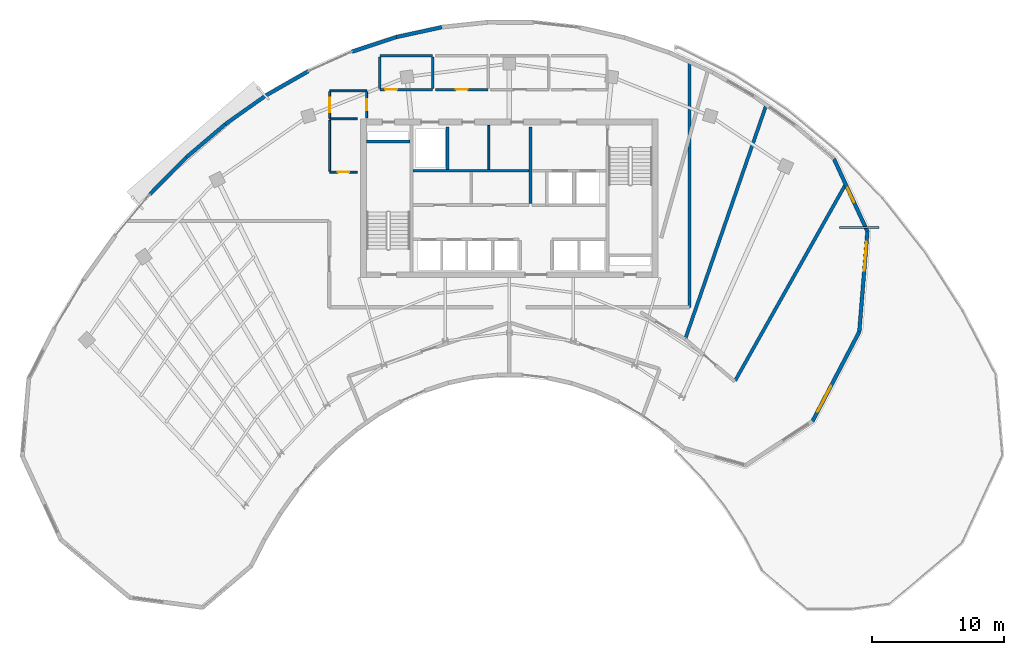
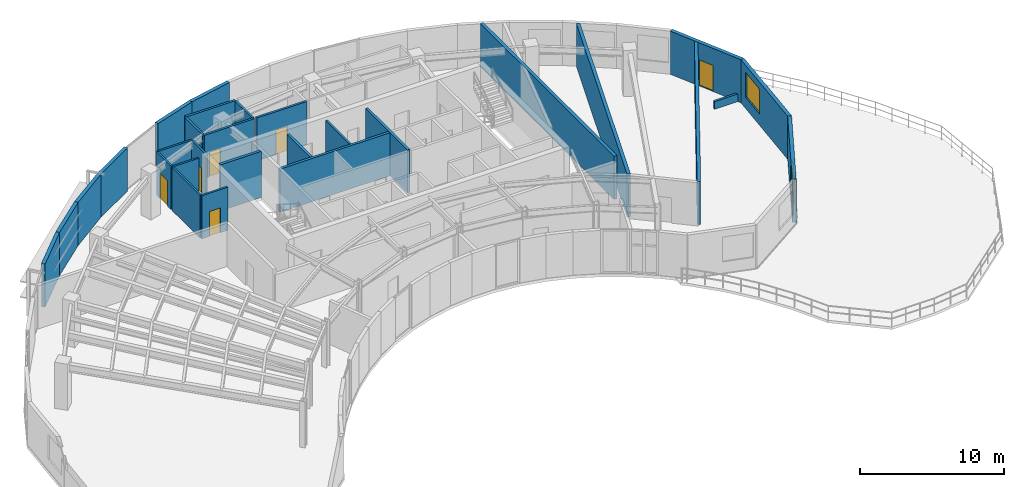
# One storey, part 9 of 15: 29 walls, 6 doors, 2 windows, 8 openings.
"""IFC4 building model written with IfcOpenShell, lengths in metres."""

from ifc_helpers import new_model, si_unit, direction, frame, frame_2d, origin, place, context, subcontext, project, spatial, rectangle, extrude, source, transform, mapped, material, layer, layer_set, type_object, type_shapes, element, fill, save


model = new_model("IFC4")

# Units and contexts
model_context = context("Model", 3, precision=1e-05, world=origin(), true_north=direction((0.0, 1.0)))
body_context = subcontext(model_context, "Body", "Model", "MODEL_VIEW")
ifc_project = project(units=[si_unit("LENGTHUNIT", "METRE"), si_unit("AREAUNIT", "SQUARE_METRE"), si_unit("VOLUMEUNIT", "CUBIC_METRE"), si_unit("PLANEANGLEUNIT", "RADIAN"), si_unit("MASSUNIT", "GRAM", prefix="KILO")], contexts=[model_context])

# Site, building, storey
site_placement = place(None, origin())
site = spatial("IfcSite", under=ifc_project, at=site_placement, CompositionType="ELEMENT")
building_placement = place(site_placement, origin())
building = spatial("IfcBuilding", under=site, at=building_placement, Name="Breltana Convention Tower", CompositionType="ELEMENT")
storey_placement = place(building_placement, frame((0.0, 0.0, 231.300048828125)))
storey = spatial("IfcBuildingStorey", under=building, at=storey_placement, Name="L56", CompositionType="ELEMENT", Elevation=231.300048828125)

# Wall
ifc_material_1 = material(Name="Concrete C50/60", Category="concrete")
ifc_layer_1 = layer(ifc_material_1, 0.39990234375, Name="Concrete C50/60")
ifc_layer_set_1 = layer_set([ifc_layer_1], Name="Concrete C50/60")
wall_type_1 = type_object("IfcWallType", Name="SW-CORE-400", PredefinedType="SHEAR", material=ifc_layer_set_1)
shared_shape_1 = source(origin(), body_context, "Body", "SweptSolid", [
    extrude(rectangle(XDim=3.27001953125, YDim=0.219970703125, at=frame_2d((1.635009765625, 0.0))), origin(), (0.0, 0.0, 1.0), 3.89990234375),
])
wall_1_placement = place(storey_placement, frame((37.199951171875, 70.510009765625, 0.0), z_axis=(0.0, 0.0, 1.0), x_axis=(1.0, 0.0, 0.0)))
element("IfcWall", 1, at=wall_1_placement, inside=storey, type_object=wall_type_1, Name="L56 ST-1 Stairwell North Bearing Wall", PredefinedType="SHEAR", context=body_context, shape_type="MappedRepresentation", body=[
    mapped(shared_shape_1, transform((0.0, 0.0, 0.0), scale=1.0)),
])

# Wall, opening, door
ifc_material_2 = material(Name="Limestone Buff Insulated Wall", Category="masonry")
ifc_layer_2 = layer(ifc_material_2, 0.280029296875, Name="Limestone Buff Insulated Wall")
ifc_layer_set_2 = layer_set([ifc_layer_2], Name="Limestone Buff Insulated Wall")
wall_type_2 = type_object("IfcWallType", Name="WL-EXT-NOSE-280", PredefinedType="SOLIDWALL", material=ifc_layer_set_2)
shared_shape_2 = source(origin(), body_context, "Body", "SweptSolid", [
    extrude(rectangle(XDim=6.049560546875, YDim=0.280029296875, at=frame_2d((3.02490234375, 0.0))), origin(), (0.0, 0.0, 1.0), 3.64990234375),
])
wall_2_placement = place(storey_placement, frame((72.57421875, 69.1982421875, 0.0), z_axis=(0.0, 0.0, 1.0), x_axis=(0.41942922905, -0.907788037935, 0.0)))
wall_2 = element("IfcWall", 2, at=wall_2_placement, inside=storey, type_object=wall_type_2, Name="L56 curved limestone nose wall E1", PredefinedType="SOLIDWALL", context=body_context, shape_type="MappedRepresentation", body=[
    mapped(shared_shape_2, transform((0.0, 0.0, 0.0), scale=1.0)),
])
opening_1_placement = place(wall_2_placement, frame((2.4248046875, 0.0, 0.0)))
opening_1 = element("IfcOpeningElement", 3, at=opening_1_placement, cuts=wall_2, Name="Opening ED-04", PredefinedType="OPENING", context=body_context, shape_type="SweptSolid", body=[
    extrude(rectangle(XDim=1.199951171875, YDim=2.199951171875, at=frame_2d((0.60009765625, 1.10009765625))), frame((0.0, 0.14990234375, 0.0), z_axis=(0.0, -1.0, 0.0), x_axis=(1.0, 0.0, 0.0)), (0.0, 0.0, 1.0), 0.300048828125),
])
ifc_material_3 = material(Name="Aluminium Bronze Terrace Door", Category="aluminium")
door_type_1 = type_object("IfcDoorType", Name="DR-TER-1200", OperationType="NOTDEFINED", PredefinedType="DOOR", material=ifc_material_3)
shared_shape_3 = source(origin(), body_context, "Body", "SweptSolid", [
    extrude(rectangle(XDim=1.199951171875, YDim=2.199951171875, at=frame_2d((0.60009765625, 1.10009765625))), frame((0.0, 0.02490234375, 0.0), z_axis=(0.0, -1.0, 0.0), x_axis=(1.0, 0.0, 0.0)), (0.0, 0.0, 1.0), 0.050048828125),
])
type_shapes(door_type_1, [shared_shape_3])
door_1_placement = place(opening_1_placement, origin())
door_1 = element("IfcDoor", 4, at=door_1_placement, inside=storey, type_object=door_type_1, Name="L56 E shoulder terrace lounge door", OperationType="SINGLE_SWING_LEFT", OverallHeight=2.199951171875, OverallWidth=1.199951171875, PredefinedType="DOOR", context=body_context, shape_type="MappedRepresentation", body=[
    mapped(shared_shape_3, transform((0.0, 0.0, 0.0), scale=1.0)),
])
fill(opening_1, door_1)

# Wall, opening, window
shared_shape_4 = source(origin(), body_context, "Body", "SweptSolid", [
    extrude(rectangle(XDim=7.618408203125, YDim=0.280029296875, at=frame_2d((3.80908203125, 0.0))), origin(), (0.0, 0.0, 1.0), 3.64990234375),
])
wall_3_placement = place(storey_placement, frame((75.111572265625, 63.70654296875, 0.0), z_axis=(0.0, 0.0, 1.0), x_axis=(-0.080820171031, -0.996728699273, 0.0)))
wall_3 = element("IfcWall", 5, at=wall_3_placement, inside=storey, type_object=wall_type_2, Name="L56 curved limestone nose wall E2", PredefinedType="SOLIDWALL", context=body_context, shape_type="MappedRepresentation", body=[
    mapped(shared_shape_4, transform((0.0, 0.0, 0.0), scale=1.0)),
])
opening_2_placement = place(wall_3_placement, frame((0.8046875, 0.0, 0.949951171875)))
opening_2 = element("IfcOpeningElement", 6, at=opening_2_placement, cuts=wall_3, Name="Opening W-03", PredefinedType="OPENING", context=body_context, shape_type="SweptSolid", body=[
    extrude(rectangle(XDim=2.199951171875, YDim=2.10009765625, at=frame_2d((1.10009765625, 1.050048828125))), frame((0.0, 0.14990234375, 0.0), z_axis=(0.0, -1.0, 0.0), x_axis=(1.0, 0.0, 0.0)), (0.0, 0.0, 1.0), 0.300048828125),
])
ifc_material_4 = material(Name="Glass Low-E Insulated Window", Category="glass")
window_type = type_object("IfcWindowType", Name="WN-NOSE-2200X2100", PartitioningType="TRIPLE_PANEL_VERTICAL", PredefinedType="WINDOW", material=ifc_material_4)
shared_shape_5 = source(origin(), body_context, "Body", "SweptSolid", [
    extrude(rectangle(XDim=2.199951171875, YDim=2.10009765625, at=frame_2d((1.10009765625, 1.050048828125))), frame((0.0, 0.030029296875, 0.0), z_axis=(0.0, -1.0, 0.0), x_axis=(1.0, 0.0, 0.0)), (0.0, 0.0, 1.0), 0.06005859375),
])
type_shapes(window_type, [shared_shape_5])
window_1_placement = place(opening_2_placement, origin())
window_1 = element("IfcWindow", 7, at=window_1_placement, inside=storey, type_object=window_type, Name="L56 nose window E2", OverallHeight=2.10009765625, OverallWidth=2.199951171875, PartitioningType="TRIPLE_PANEL_VERTICAL", PredefinedType="WINDOW", context=body_context, shape_type="MappedRepresentation", body=[
    mapped(shared_shape_5, transform((0.0, 0.0, 0.0), scale=1.0)),
])
fill(opening_2, window_1)

shared_shape_6 = source(origin(), body_context, "Body", "SweptSolid", [
    extrude(rectangle(XDim=7.647705078125, YDim=0.280029296875, at=frame_2d((3.82373046875, 0.0))), origin(), (0.0, 0.0, 1.0), 3.64990234375),
])
wall_4_placement = place(storey_placement, frame((74.495849609375, 56.113037109375, 0.0), z_axis=(0.0, 0.0, 1.0), x_axis=(-0.463116873665, -0.886297219519, 0.0)))
wall_4 = element("IfcWall", 8, at=wall_4_placement, inside=storey, type_object=wall_type_2, Name="L56 curved limestone nose wall E3", PredefinedType="SOLIDWALL", context=body_context, shape_type="MappedRepresentation", body=[
    mapped(shared_shape_6, transform((0.0, 0.0, 0.0), scale=1.0)),
])
opening_3_placement = place(wall_4_placement, frame((4.6357421875, 0.0, 0.949951171875)))
opening_3 = element("IfcOpeningElement", 9, at=opening_3_placement, cuts=wall_4, Name="Opening W-03", PredefinedType="OPENING", context=body_context, shape_type="SweptSolid", body=[
    extrude(rectangle(XDim=2.199951171875, YDim=2.10009765625, at=frame_2d((1.10009765625, 1.050048828125))), frame((0.0, 0.14990234375, 0.0), z_axis=(0.0, -1.0, 0.0), x_axis=(1.0, 0.0, 0.0)), (0.0, 0.0, 1.0), 0.300048828125),
])
window_2_placement = place(opening_3_placement, origin())
window_2 = element("IfcWindow", 10, at=window_2_placement, inside=storey, type_object=window_type, Name="L56 nose window E3", OverallHeight=2.10009765625, OverallWidth=2.199951171875, PartitioningType="TRIPLE_PANEL_VERTICAL", PredefinedType="WINDOW", context=body_context, shape_type="MappedRepresentation", body=[
    mapped(shared_shape_5, transform((0.0, 0.0, 0.0), scale=1.0)),
])
fill(opening_3, window_2)

# Walls
shared_shape_7 = source(origin(), body_context, "Body", "SweptSolid", [
    extrude(rectangle(XDim=3.955078125, YDim=0.280029296875, at=frame_2d((1.9775390625, 0.0))), origin(), (0.0, 0.0, 1.0), 3.64990234375),
])
wall_5_placement = place(storey_placement, frame((20.7763671875, 66.50732421875, 0.0), z_axis=(0.0, 0.0, 1.0), x_axis=(0.702710517474, 0.711475880569, 0.0)))
element("IfcWall", 11, at=wall_5_placement, inside=storey, type_object=wall_type_2, Name="L56 curved limestone nose wall E21", PredefinedType="SOLIDWALL", context=body_context, shape_type="MappedRepresentation", body=[
    mapped(shared_shape_7, transform((0.0, 0.0, 0.0), scale=1.0)),
])
shared_shape_8 = source(origin(), body_context, "Body", "SweptSolid", [
    extrude(rectangle(XDim=3.8603515625, YDim=0.280029296875, at=frame_2d((1.93017578125, 0.0))), origin(), (0.0, 0.0, 1.0), 3.64990234375),
])
wall_6_placement = place(storey_placement, frame((23.5556640625, 69.3212890625, 0.0), z_axis=(0.0, 0.0, 1.0), x_axis=(0.761497547739, 0.648167790613, 0.0)))
element("IfcWall", 12, at=wall_6_placement, inside=storey, type_object=wall_type_2, Name="L56 curved limestone nose wall E22", PredefinedType="SOLIDWALL", context=body_context, shape_type="MappedRepresentation", body=[
    mapped(shared_shape_8, transform((0.0, 0.0, 0.0), scale=1.0)),
])
shared_shape_9 = source(origin(), body_context, "Body", "SweptSolid", [
    extrude(rectangle(XDim=3.770263671875, YDim=0.280029296875, at=frame_2d((1.88525390625, 0.0))), origin(), (0.0, 0.0, 1.0), 3.64990234375),
])
wall_7_placement = place(storey_placement, frame((26.495361328125, 71.823486328125, 0.0), z_axis=(0.0, 0.0, 1.0), x_axis=(0.817001958662, 0.576634892755, 0.0)))
element("IfcWall", 13, at=wall_7_placement, inside=storey, type_object=wall_type_2, Name="L56 curved limestone nose wall E23", PredefinedType="SOLIDWALL", context=body_context, shape_type="MappedRepresentation", body=[
    mapped(shared_shape_9, transform((0.0, 0.0, 0.0), scale=1.0)),
])
shared_shape_10 = source(origin(), body_context, "Body", "SweptSolid", [
    extrude(rectangle(XDim=3.68798828125, YDim=0.280029296875, at=frame_2d((1.843994140625, 0.0))), origin(), (0.0, 0.0, 1.0), 3.64990234375),
])
wall_8_placement = place(storey_placement, frame((29.57568359375, 73.99755859375, 0.0), z_axis=(0.0, 0.0, 1.0), x_axis=(0.867929289274, 0.496687778005, 0.0)))
element("IfcWall", 14, at=wall_8_placement, inside=storey, type_object=wall_type_2, Name="L56 curved limestone nose wall E24", PredefinedType="SOLIDWALL", context=body_context, shape_type="MappedRepresentation", body=[
    mapped(shared_shape_10, transform((0.0, 0.0, 0.0), scale=1.0)),
])
shared_shape_11 = source(origin(), body_context, "Body", "SweptSolid", [
    extrude(rectangle(XDim=3.556884765625, YDim=0.280029296875, at=frame_2d((1.7783203125, 0.0))), origin(), (0.0, 0.0, 1.0), 3.64990234375),
])
wall_9_placement = place(storey_placement, frame((36.07666015625, 77.306640625, 0.0), z_axis=(0.0, 0.0, 1.0), x_axis=(0.949687460385, 0.31319918197, 0.0)))
element("IfcWall", 15, at=wall_9_placement, inside=storey, type_object=wall_type_2, Name="L56 curved limestone nose wall E25", PredefinedType="SOLIDWALL", context=body_context, shape_type="MappedRepresentation", body=[
    mapped(shared_shape_11, transform((0.0, 0.0, 0.0), scale=1.0)),
])
shared_shape_12 = source(origin(), body_context, "Body", "SweptSolid", [
    extrude(rectangle(XDim=3.512939453125, YDim=0.280029296875, at=frame_2d((1.75634765625, 0.0))), origin(), (0.0, 0.0, 1.0), 3.64990234375),
])
wall_10_placement = place(storey_placement, frame((39.45458984375, 78.420654296875, 0.0), z_axis=(0.0, 0.0, 1.0), x_axis=(0.977366029072, 0.211555300611, 0.0)))
element("IfcWall", 16, at=wall_10_placement, inside=storey, type_object=wall_type_2, Name="L56 curved limestone nose wall E26", PredefinedType="SOLIDWALL", context=body_context, shape_type="MappedRepresentation", body=[
    mapped(shared_shape_12, transform((0.0, 0.0, 0.0), scale=1.0)),
])
ifc_material_5 = material(Name="Autoclaved Aerated Concrete Block", Category="concrete")
ifc_layer_3 = layer(ifc_material_5, 0.199951171875, Name="Autoclaved Aerated Concrete Block")
ifc_layer_set_3 = layer_set([ifc_layer_3], Name="Autoclaved Aerated Concrete Block")
wall_type_3 = type_object("IfcWallType", Name="WL-SHAFT-200", PredefinedType="SOLIDWALL", material=ifc_layer_set_3)
shared_shape_13 = source(origin(), body_context, "Body", "SweptSolid", [
    extrude(rectangle(XDim=5.800048828125, YDim=0.199951171875, at=frame_2d((2.89990234375, 0.0))), origin(), (0.0, 0.0, 1.0), 3.64990234375),
])
wall_11_placement = place(storey_placement, frame((49.60009765625, 65.800048828125, 0.0), z_axis=(0.0, 0.0, 1.0), x_axis=(0.0, 1.0, 0.0)))
element("IfcWall", 17, at=wall_11_placement, inside=storey, type_object=wall_type_3, Name="L56 interior partition W-L56-FFL-W", PredefinedType="SOLIDWALL", context=body_context, shape_type="MappedRepresentation", body=[
    mapped(shared_shape_13, transform((0.0, 0.0, 0.0), scale=1.0)),
])
shared_shape_14 = source(origin(), body_context, "Body", "SweptSolid", [
    extrude(rectangle(XDim=3.2001953125, YDim=0.199951171875, at=frame_2d((1.60009765625, 0.0))), origin(), (0.0, 0.0, 1.0), 3.64990234375),
])
wall_12_placement = place(storey_placement, frame((43.320068359375, 68.39990234375, 0.0), z_axis=(0.0, 0.0, 1.0), x_axis=(0.0, 1.0, 0.0)))
element("IfcWall", 18, at=wall_12_placement, inside=storey, type_object=wall_type_3, Name="L56 interior partition W-L56-SV-E", PredefinedType="SOLIDWALL", context=body_context, shape_type="MappedRepresentation", body=[
    mapped(shared_shape_14, transform((0.0, 0.0, 0.0), scale=1.0)),
])
shared_shape_15 = source(origin(), body_context, "Body", "SweptSolid", [
    extrude(rectangle(XDim=8.800048828125, YDim=0.199951171875, at=frame_2d((4.39990234375, 0.0))), origin(), (0.0, 0.0, 1.0), 3.64990234375),
])
wall_13_placement = place(storey_placement, frame((40.699951171875, 68.300048828125, 0.0), z_axis=(0.0, 0.0, 1.0), x_axis=(1.0, 0.0, 0.0)))
element("IfcWall", 19, at=wall_13_placement, inside=storey, type_object=wall_type_3, Name="L56 interior partition W-L56-SV-S", PredefinedType="SOLIDWALL", context=body_context, shape_type="MappedRepresentation", body=[
    mapped(shared_shape_15, transform((0.0, 0.0, 0.0), scale=1.0)),
])
ifc_material_6 = material(Name="Gypsum Acoustic Drywall Partition")
ifc_layer_4 = layer(ifc_material_6, 0.14990234375, Name="Gypsum Acoustic Drywall Partition")
ifc_layer_set_4 = layer_set([ifc_layer_4], Name="Gypsum Acoustic Drywall Partition")
wall_type_4 = type_object("IfcWallType", Name="WL-PART-150", PredefinedType="PARTITIONING", material=ifc_layer_set_4)
shared_shape_16 = source(origin(), body_context, "Body", "SweptSolid", [
    extrude(rectangle(XDim=2.10009765625, YDim=0.14990234375, at=frame_2d((1.050048828125, 0.0))), origin(), (0.0, 0.0, 1.0), 3.64990234375),
])
wall_14_placement = place(storey_placement, frame((34.39990234375, 72.219970703125, 0.0), z_axis=(0.0, 0.0, 1.0), x_axis=(1.0, 0.0, 0.0)))
element("IfcWall", 20, at=wall_14_placement, inside=storey, type_object=wall_type_4, Name="L56 interior partition W-L56-CRNW-S", PredefinedType="PARTITIONING", context=body_context, shape_type="MappedRepresentation", body=[
    mapped(shared_shape_16, transform((0.0, 0.0, 0.0), scale=1.0)),
])

# Wall, opening, door
wall_15_placement = place(storey_placement, frame((34.39990234375, 68.199951171875, 0.0), z_axis=(0.0, 0.0, 1.0), x_axis=(1.0, 0.0, 0.0)))
wall_15 = element("IfcWall", 21, at=wall_15_placement, inside=storey, type_object=wall_type_4, Name="L56 interior partition W-L56-CRSW-S", PredefinedType="PARTITIONING", context=body_context, shape_type="MappedRepresentation", body=[
    mapped(shared_shape_16, transform((0.0, 0.0, 0.0), scale=1.0)),
])
opening_4_placement = place(wall_15_placement, frame((0.625, 0.0, 0.0)))
opening_4 = element("IfcOpeningElement", 22, at=opening_4_placement, cuts=wall_15, Name="Opening D-20", PredefinedType="OPENING", context=body_context, shape_type="SweptSolid", body=[
    extrude(rectangle(XDim=0.85009765625, YDim=2.10009765625, at=frame_2d((0.425048828125, 1.050048828125))), frame((0.0, 0.0849609375, 0.0), z_axis=(0.0, -1.0, 0.0), x_axis=(1.0, 0.0, 0.0)), (0.0, 0.0, 1.0), 0.169921875),
])
ifc_material_7 = material(Name="Steel Closet Fire Door", Category="steel")
door_type_2 = type_object("IfcDoorType", Name="DR-FD60-850", OperationType="NOTDEFINED", PredefinedType="DOOR", material=ifc_material_7)
shared_shape_17 = source(origin(), body_context, "Body", "SweptSolid", [
    extrude(rectangle(XDim=0.85009765625, YDim=2.10009765625, at=frame_2d((0.425048828125, 1.050048828125))), frame((0.0, 0.02490234375, 0.0), z_axis=(0.0, -1.0, 0.0), x_axis=(1.0, 0.0, 0.0)), (0.0, 0.0, 1.0), 0.050048828125),
])
type_shapes(door_type_2, [shared_shape_17])
door_2_placement = place(opening_4_placement, origin())
door_2 = element("IfcDoor", 23, at=door_2_placement, inside=storey, type_object=door_type_2, Name="L56 interior door D-L56-CRSW", OperationType="SINGLE_SWING_LEFT", OverallHeight=2.10009765625, OverallWidth=0.85009765625, PredefinedType="DOOR", context=body_context, shape_type="MappedRepresentation", body=[
    mapped(shared_shape_17, transform((0.0, 0.0, 0.0), scale=1.0)),
])
fill(opening_4, door_2)

# Wall
shared_shape_18 = source(origin(), body_context, "Body", "SweptSolid", [
    extrude(rectangle(XDim=2.800048828125, YDim=0.14990234375, at=frame_2d((1.39990234375, 0.0))), origin(), (0.0, 0.0, 1.0), 3.64990234375),
])
wall_16_placement = place(storey_placement, frame((34.39990234375, 74.35009765625, 0.0), z_axis=(0.0, 0.0, 1.0), x_axis=(1.0, 0.0, 0.0)))
element("IfcWall", 24, at=wall_16_placement, inside=storey, type_object=wall_type_4, Name="L56 interior partition W-L56-CRNW-N", PredefinedType="PARTITIONING", context=body_context, shape_type="MappedRepresentation", body=[
    mapped(shared_shape_18, transform((0.0, 0.0, 0.0), scale=1.0)),
])

# Wall, opening, door
shared_shape_19 = source(origin(), body_context, "Body", "SweptSolid", [
    extrude(rectangle(XDim=1.994873046875, YDim=0.14990234375, at=frame_2d((0.99755859375, 0.0))), origin(), (0.0, 0.0, 1.0), 3.64990234375),
])
wall_17_placement = place(storey_placement, frame((34.39990234375, 72.28759765625, 0.0), z_axis=(0.0, 0.0, 1.0), x_axis=(0.0, 1.0, 0.0)))
wall_17 = element("IfcWall", 25, at=wall_17_placement, inside=storey, type_object=wall_type_4, Name="L56 interior partition W-L56-CRNW-W", PredefinedType="PARTITIONING", context=body_context, shape_type="MappedRepresentation", body=[
    mapped(shared_shape_19, transform((0.0, 0.0, 0.0), scale=1.0)),
])
opening_5_placement = place(wall_17_placement, frame((0.447509765625, 0.0, 0.0)))
opening_5 = element("IfcOpeningElement", 26, at=opening_5_placement, cuts=wall_17, Name="Opening D-12", PredefinedType="OPENING", context=body_context, shape_type="SweptSolid", body=[
    extrude(rectangle(XDim=1.10009765625, YDim=2.14990234375, at=frame_2d((0.550048828125, 1.074951171875))), frame((0.0, 0.0849609375, 0.0), z_axis=(0.0, -1.0, 0.0), x_axis=(1.0, 0.0, 0.0)), (0.0, 0.0, 1.0), 0.169921875),
])
ifc_material_8 = material(Name="Timber Oak Acoustic Door", Category="wood")
door_type_3 = type_object("IfcDoorType", Name="DR-INT-1100", OperationType="NOTDEFINED", PredefinedType="DOOR", material=ifc_material_8)
shared_shape_20 = source(origin(), body_context, "Body", "SweptSolid", [
    extrude(rectangle(XDim=1.10009765625, YDim=2.14990234375, at=frame_2d((0.550048828125, 1.074951171875))), frame((0.0, 0.02490234375, 0.0), z_axis=(0.0, -1.0, 0.0), x_axis=(1.0, 0.0, 0.0)), (0.0, 0.0, 1.0), 0.050048828125),
])
type_shapes(door_type_3, [shared_shape_20])
door_3_placement = place(opening_5_placement, origin())
door_3 = element("IfcDoor", 27, at=door_3_placement, inside=storey, type_object=door_type_3, Name="L56 interior door D-L56-EXW2", OperationType="SINGLE_SWING_LEFT", OverallHeight=2.14990234375, OverallWidth=1.10009765625, PredefinedType="DOOR", context=body_context, shape_type="MappedRepresentation", body=[
    mapped(shared_shape_20, transform((0.0, 0.0, 0.0), scale=1.0)),
])
fill(opening_5, door_3)

shared_shape_21 = source(origin(), body_context, "Body", "SweptSolid", [
    extrude(rectangle(XDim=1.982421875, YDim=0.14990234375, at=frame_2d((0.9912109375, 0.0))), origin(), (0.0, 0.0, 1.0), 3.64990234375),
])
wall_18_placement = place(storey_placement, frame((37.199951171875, 72.300048828125, 0.0), z_axis=(0.0, 0.0, 1.0), x_axis=(0.0, 1.0, 0.0)))
wall_18 = element("IfcWall", 28, at=wall_18_placement, inside=storey, type_object=wall_type_4, Name="L56 interior partition W-L56-CRNW-E", PredefinedType="PARTITIONING", context=body_context, shape_type="MappedRepresentation", body=[
    mapped(shared_shape_21, transform((0.0, 0.0, 0.0), scale=1.0)),
])
opening_6_placement = place(wall_18_placement, frame((0.56640625, 0.0, 0.0)))
opening_6 = element("IfcOpeningElement", 29, at=opening_6_placement, cuts=wall_18, Name="Opening D-20", PredefinedType="OPENING", context=body_context, shape_type="SweptSolid", body=[
    extrude(rectangle(XDim=0.85009765625, YDim=2.10009765625, at=frame_2d((0.425048828125, 1.050048828125))), frame((0.0, 0.0849609375, 0.0), z_axis=(0.0, -1.0, 0.0), x_axis=(1.0, 0.0, 0.0)), (0.0, 0.0, 1.0), 0.169921875),
])
door_4_placement = place(opening_6_placement, origin())
door_4 = element("IfcDoor", 30, at=door_4_placement, inside=storey, type_object=door_type_2, Name="L56 interior door D-L56-CRNW", OperationType="SINGLE_SWING_RIGHT", OverallHeight=2.10009765625, OverallWidth=0.85009765625, PredefinedType="DOOR", context=body_context, shape_type="MappedRepresentation", body=[
    mapped(shared_shape_17, transform((0.0, 0.0, 0.0), scale=1.0)),
])
fill(opening_6, door_4)

# Walls
shared_shape_22 = source(origin(), body_context, "Body", "SweptSolid", [
    extrude(rectangle(XDim=3.844970703125, YDim=0.14990234375, at=frame_2d((1.92236328125, 0.0))), origin(), (0.0, 0.0, 1.0), 3.64990234375),
])
wall_19_placement = place(storey_placement, frame((34.39990234375, 68.267578125, 0.0), z_axis=(0.0, 0.0, 1.0), x_axis=(0.0, 1.0, 0.0)))
element("IfcWall", 31, at=wall_19_placement, inside=storey, type_object=wall_type_4, Name="L56 interior partition W-L56-CRSW-W", PredefinedType="PARTITIONING", context=body_context, shape_type="MappedRepresentation", body=[
    mapped(shared_shape_22, transform((0.0, 0.0, 0.0), scale=1.0)),
])
shared_shape_23 = source(origin(), body_context, "Body", "SweptSolid", [
    extrude(rectangle(XDim=3.330078125, YDim=0.14990234375, at=frame_2d((1.6650390625, 0.0))), origin(), (0.0, 0.0, 1.0), 3.64990234375),
])
wall_20_placement = place(storey_placement, frame((46.449951171875, 68.39990234375, 0.0), z_axis=(0.0, 0.0, 1.0), x_axis=(0.0, 1.0, 0.0)))
element("IfcWall", 32, at=wall_20_placement, inside=storey, type_object=wall_type_4, Name="L56 interior partition W-L56-KV-1", PredefinedType="PARTITIONING", context=body_context, shape_type="MappedRepresentation", body=[
    mapped(shared_shape_23, transform((0.0, 0.0, 0.0), scale=1.0)),
])

# Wall, opening, door
ifc_material_9 = material(Name="Cement Board Wet-Area Partition")
ifc_layer_5 = layer(ifc_material_9, 0.175048828125, Name="Cement Board Wet-Area Partition")
ifc_layer_set_5 = layer_set([ifc_layer_5], Name="Cement Board Wet-Area Partition")
wall_type_5 = type_object("IfcWallType", Name="WL-WET-175", PredefinedType="PARTITIONING", material=ifc_layer_set_5)
shared_shape_24 = source(origin(), body_context, "Body", "SweptSolid", [
    extrude(rectangle(XDim=4.0, YDim=0.175048828125, at=frame_2d((2.0, 0.0))), origin(), (0.0, 0.0, 1.0), 3.64990234375),
])
wall_21_placement = place(storey_placement, frame((38.199951171875, 74.43994140625, 0.0), z_axis=(0.0, 0.0, 1.0), x_axis=(1.0, 0.0, 0.0)))
wall_21 = element("IfcWall", 33, at=wall_21_placement, inside=storey, type_object=wall_type_5, Name="L56 interior partition W-L56-WCM-S", PredefinedType="PARTITIONING", context=body_context, shape_type="MappedRepresentation", body=[
    mapped(shared_shape_24, transform((0.0, 0.0, 0.0), scale=1.0)),
])
opening_7_placement = place(wall_21_placement, frame((0.39990234375, 0.0, 0.0)))
opening_7 = element("IfcOpeningElement", 34, at=opening_7_placement, cuts=wall_21, Name="Opening D-19", PredefinedType="OPENING", context=body_context, shape_type="SweptSolid", body=[
    extrude(rectangle(XDim=0.89990234375, YDim=2.080078125, at=frame_2d((0.449951171875, 1.0400390625))), frame((0.0, 0.09765625, 0.0), z_axis=(0.0, -1.0, 0.0), x_axis=(1.0, 0.0, 0.0)), (0.0, 0.0, 1.0), 0.195068359375),
])
ifc_material_10 = material(Name="Timber Moisture-Resistant Door", Category="wood")
door_type_4 = type_object("IfcDoorType", Name="DR-WC-900", OperationType="NOTDEFINED", PredefinedType="DOOR", material=ifc_material_10)
shared_shape_25 = source(origin(), body_context, "Body", "SweptSolid", [
    extrude(rectangle(XDim=0.89990234375, YDim=2.080078125, at=frame_2d((0.449951171875, 1.0400390625))), frame((0.0, 0.02490234375, 0.0), z_axis=(0.0, -1.0, 0.0), x_axis=(1.0, 0.0, 0.0)), (0.0, 0.0, 1.0), 0.050048828125),
])
type_shapes(door_type_4, [shared_shape_25])
door_5_placement = place(opening_7_placement, origin())
door_5 = element("IfcDoor", 35, at=door_5_placement, inside=storey, type_object=door_type_4, Name="L56 interior door D-L56-WCM", OperationType="SINGLE_SWING_RIGHT", OverallHeight=2.080078125, OverallWidth=0.89990234375, PredefinedType="DOOR", context=body_context, shape_type="MappedRepresentation", body=[
    mapped(shared_shape_25, transform((0.0, 0.0, 0.0), scale=1.0)),
])
fill(opening_7, door_5)

wall_22_placement = place(storey_placement, frame((42.39990234375, 74.43994140625, 0.0), z_axis=(0.0, 0.0, 1.0), x_axis=(1.0, 0.0, 0.0)))
wall_22 = element("IfcWall", 36, at=wall_22_placement, inside=storey, type_object=wall_type_5, Name="L56 interior partition W-L56-WCF-S", PredefinedType="PARTITIONING", context=body_context, shape_type="MappedRepresentation", body=[
    mapped(shared_shape_24, transform((0.0, 0.0, 0.0), scale=1.0)),
])
opening_8_placement = place(wall_22_placement, frame((1.550048828125, 0.0, 0.0)))
opening_8 = element("IfcOpeningElement", 37, at=opening_8_placement, cuts=wall_22, Name="Opening D-19", PredefinedType="OPENING", context=body_context, shape_type="SweptSolid", body=[
    extrude(rectangle(XDim=0.89990234375, YDim=2.080078125, at=frame_2d((0.449951171875, 1.0400390625))), frame((0.0, 0.09765625, 0.0), z_axis=(0.0, -1.0, 0.0), x_axis=(1.0, 0.0, 0.0)), (0.0, 0.0, 1.0), 0.195068359375),
])
door_6_placement = place(opening_8_placement, origin())
door_6 = element("IfcDoor", 38, at=door_6_placement, inside=storey, type_object=door_type_4, Name="L56 interior door D-L56-WCF", OperationType="SINGLE_SWING_LEFT", OverallHeight=2.080078125, OverallWidth=0.89990234375, PredefinedType="DOOR", context=body_context, shape_type="MappedRepresentation", body=[
    mapped(shared_shape_25, transform((0.0, 0.0, 0.0), scale=1.0)),
])
fill(opening_8, door_6)

# Walls
ifc_material_11 = material(Name="Moisture-Resistant Gypsum Chase Wall")
ifc_layer_6 = layer(ifc_material_11, 0.179931640625, Name="Moisture-Resistant Gypsum Chase Wall")
ifc_layer_set_6 = layer_set([ifc_layer_6], Name="Moisture-Resistant Gypsum Chase Wall")
wall_type_6 = type_object("IfcWallType", Name="WL-PLUMB-180", PredefinedType="PLUMBINGWALL", material=ifc_layer_set_6)
shared_shape_26 = source(origin(), body_context, "Body", "SweptSolid", [
    extrude(rectangle(XDim=4.0, YDim=0.179931640625, at=frame_2d((2.0, 0.0))), origin(), (0.0, 0.0, 1.0), 3.64990234375),
])
wall_23_placement = place(storey_placement, frame((38.199951171875, 77.0, 0.0), z_axis=(0.0, 0.0, 1.0), x_axis=(1.0, 0.0, 0.0)))
element("IfcWall", 39, at=wall_23_placement, inside=storey, type_object=wall_type_6, Name="L56 interior partition W-L56-WCM-N", PredefinedType="PLUMBINGWALL", context=body_context, shape_type="MappedRepresentation", body=[
    mapped(shared_shape_26, transform((0.0, 0.0, 0.0), scale=1.0)),
])
shared_shape_27 = source(origin(), body_context, "Body", "SweptSolid", [
    extrude(rectangle(XDim=2.402587890625, YDim=0.175048828125, at=frame_2d((1.201171875, 0.0))), origin(), (0.0, 0.0, 1.0), 3.64990234375),
])
for number, where, z_axis, x_axis, name in (
    (40, (38.199951171875, 74.518798828125, 0.0), (0.0, 0.0, 1.0), (0.0, 1.0, 0.0), "L56 interior partition W-L56-WCM-W"),
    (41, (42.199951171875, 74.518798828125, 0.0), (0.0, 0.0, 1.0), (0.0, 1.0, 0.0), "L56 interior partition W-L56-WCM-E"),
):
    element("IfcWall", number, at=place(storey_placement, frame(where, z_axis=z_axis, x_axis=x_axis)), inside=storey, type_object=wall_type_5, Name=name, PredefinedType="PARTITIONING", context=body_context, shape_type="MappedRepresentation", body=[
        mapped(shared_shape_27, transform((0.0, 0.0, 0.0), scale=1.0)),
    ])
ifc_material_12 = material(Name="Gypsum Acoustic Double Stud Wall")
ifc_layer_7 = layer(ifc_material_12, 0.25, Name="Gypsum Acoustic Double Stud Wall")
ifc_layer_set_7 = layer_set([ifc_layer_7], Name="Gypsum Acoustic Double Stud Wall")
wall_type_7 = type_object("IfcWallType", Name="WL-ACOUSTIC-250", PredefinedType="PARTITIONING", material=ifc_layer_set_7)
shared_shape_28 = source(origin(), body_context, "Body", "SweptSolid", [
    extrude(rectangle(XDim=18.579345703125, YDim=0.25, at=frame_2d((9.28955078125, 0.0))), origin(), (0.0, 0.0, 1.0), 3.64990234375),
])
wall_24_placement = place(storey_placement, frame((61.3330078125, 55.6015625, 0.0), z_axis=(0.0, 0.0, 1.0), x_axis=(0.327130421968, 0.944979199254, 0.0)))
element("IfcWall", 42, at=wall_24_placement, inside=storey, type_object=wall_type_7, Name="L56 interior partition W-L56-EXER1-RB", PredefinedType="PARTITIONING", context=body_context, shape_type="MappedRepresentation", body=[
    mapped(shared_shape_28, transform((0.0, 0.0, 0.0), scale=1.0)),
])
shared_shape_29 = source(origin(), body_context, "Body", "SweptSolid", [
    extrude(rectangle(XDim=17.06396484375, YDim=0.25, at=frame_2d((8.531982421875, 0.0))), origin(), (0.0, 0.0, 1.0), 3.64990234375),
])
wall_25_placement = place(storey_placement, frame((65.091552734375, 52.392822265625, 0.0), z_axis=(0.0, 0.0, 1.0), x_axis=(0.490167496501, 0.871628261, 0.0)))
element("IfcWall", 43, at=wall_25_placement, inside=storey, type_object=wall_type_7, Name="L56 interior partition W-L56-EXER2-RB", PredefinedType="PARTITIONING", context=body_context, shape_type="MappedRepresentation", body=[
    mapped(shared_shape_29, transform((0.0, 0.0, 0.0), scale=1.0)),
])
shared_shape_30 = source(origin(), body_context, "Body", "SweptSolid", [
    extrude(rectangle(XDim=18.5673828125, YDim=0.25, at=frame_2d((9.28369140625, 0.0))), origin(), (0.0, 0.0, 1.0), 3.64990234375),
])
wall_26_placement = place(storey_placement, frame((61.639892578125, 57.9599609375, 0.0), z_axis=(0.0, 0.0, 1.0), x_axis=(0.0, 1.0, 0.0)))
element("IfcWall", 44, at=wall_26_placement, inside=storey, type_object=wall_type_7, Name="L56 interior partition W-L56-EXER-CL", PredefinedType="PARTITIONING", context=body_context, shape_type="MappedRepresentation", body=[
    mapped(shared_shape_30, transform((0.0, 0.0, 0.0), scale=1.0)),
])
ifc_material_13 = material(Name="Limestone Warm Buff Planter Kerb", Category="masonry")
ifc_layer_8 = layer(ifc_material_13, 0.1650390625, Name="Limestone Warm Buff Planter Kerb")
ifc_layer_set_8 = layer_set([ifc_layer_8], Name="Limestone Warm Buff Planter Kerb")
wall_type_8 = type_object("IfcWallType", Name="WL-PLANTER-200", PredefinedType="PARAPET", material=ifc_layer_set_8)
shared_shape_31 = source(origin(), body_context, "Body", "SweptSolid", [
    extrude(rectangle(XDim=3.0, YDim=0.1650390625, at=frame_2d((1.5, 0.0))), origin(), (0.0, 0.0, 1.0), 0.64990234375),
])
wall_27_placement = place(storey_placement, frame((73.0, 64.0, 0.0), z_axis=(0.0, 0.0, 1.0), x_axis=(1.0, 0.0, 0.0)))
element("IfcWall", 45, at=wall_27_placement, inside=storey, type_object=wall_type_8, Name="L56 landscaped terrace stone planter 5", PredefinedType="PARAPET", context=body_context, shape_type="MappedRepresentation", body=[
    mapped(shared_shape_31, transform((0.0, 0.0, 0.0), scale=1.0)),
])

save(model, "model.ifc")
